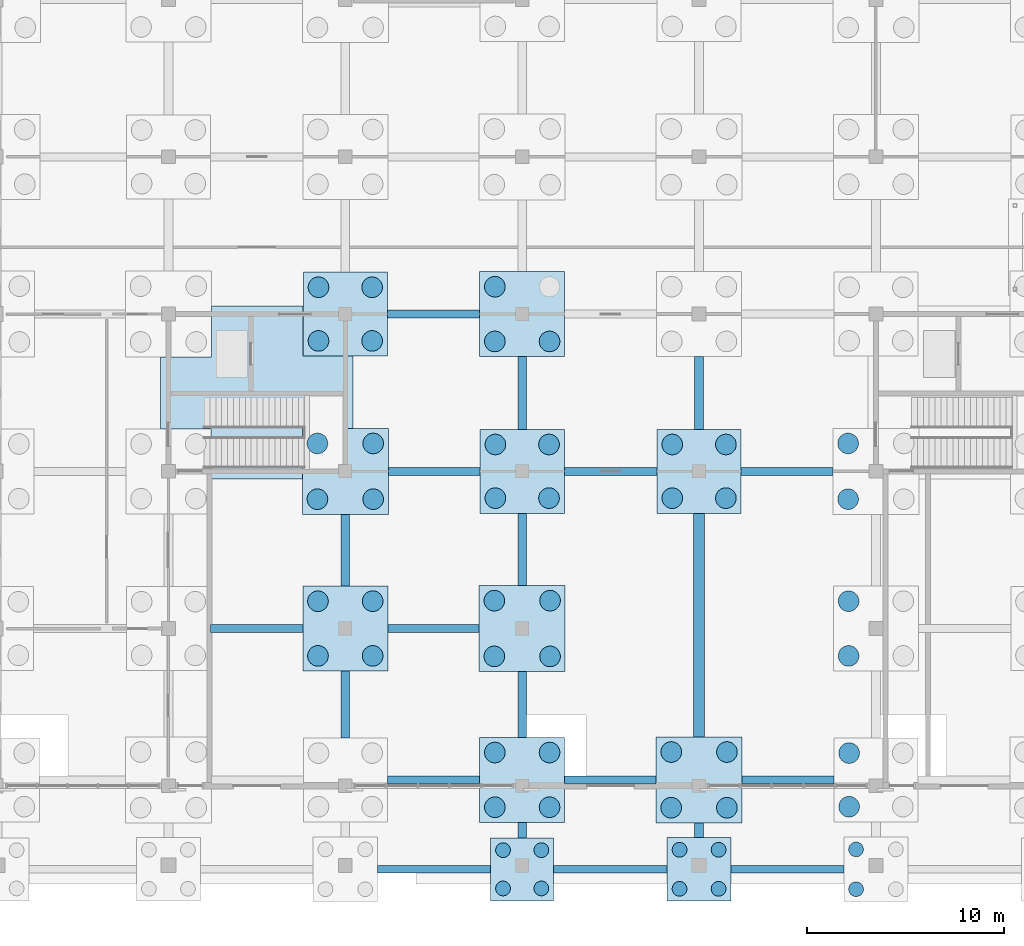
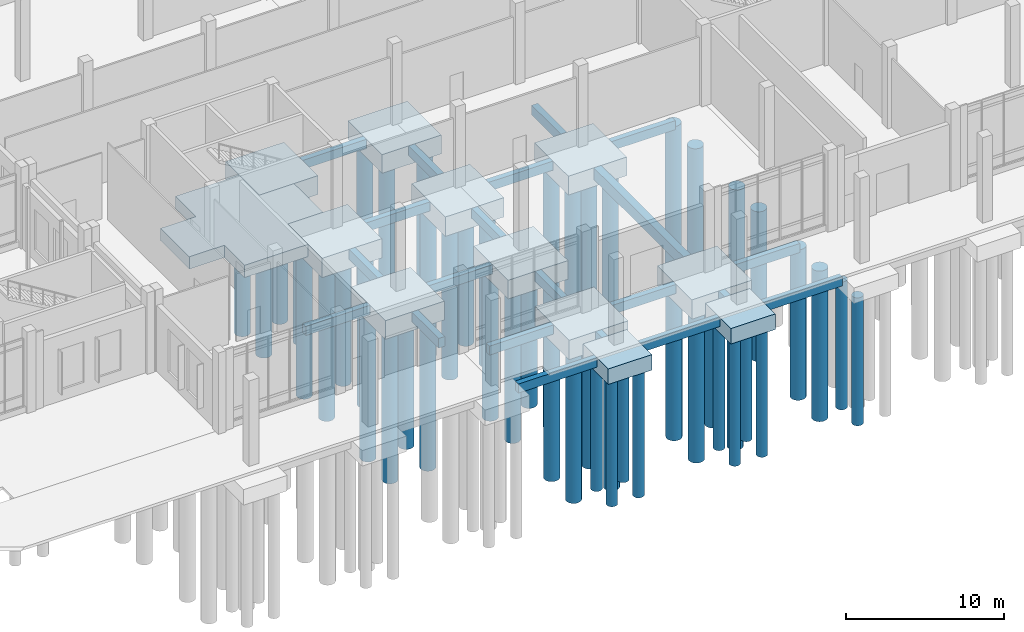
# One storey, part 13 of 99: 51 piles, 33 footings.
"""IFC4 building model written with IfcOpenShell, lengths in metres."""

import ifcopenshell
import ifcopenshell.guid

model = None  # the IFC model being written
_history = None  # IfcOwnerHistory: only IFC2X3 demands one
_inside = {}  # id of a spatial element -> (the spatial element, [elements in it])
_under = {}  # id of a project, library or spatial element -> (it, [spatial elements below it])
_declared = {}  # id of a project -> (the project, [libraries it declares])
_typed = {}  # id of a type object -> (the type object, [elements of that type])
_made_of = {}  # id of a material, layer set ... -> (it, [elements and type objects made of it])


def new_model(schema):
    """Start an empty IFC model of exactly this schema.

    Asked for "IFC4X3", IfcOpenShell would pick the latest addendum, in which some entities
    have other attributes; the version numbers below select the first issue.
    IFC2X3 requires an IfcOwnerHistory on every rooted entity: one is made here for all.
    """
    global model, _history
    if schema == "IFC4X3":
        model = ifcopenshell.file(schema_version=(4, 3, 0, 0))
    else:
        model = ifcopenshell.file(schema=schema)
    _inside.clear()
    _under.clear()
    _declared.clear()
    _typed.clear()
    _made_of.clear()
    _history = None
    if model.schema == "IFC2X3":
        org = make("IfcOrganization", Name="unknown")
        user = make(
            "IfcPersonAndOrganization",
            ThePerson=make("IfcPerson", FamilyName="unknown"),
            TheOrganization=org,
        )
        app = make(
            "IfcApplication",
            ApplicationDeveloper=org,
            Version="unknown",
            ApplicationFullName="unknown",
            ApplicationIdentifier="unknown",
        )
        _history = make(
            "IfcOwnerHistory",
            OwningUser=user,
            OwningApplication=app,
            ChangeAction="ADDED",
            CreationDate=0,
        )
    return model


def make(cls, **values):
    """One entity of the class cls with the attributes given. An attribute that is None is left unset."""
    return model.create_entity(
        cls, **{name: value for name, value in values.items() if value is not None}
    )


def rooted(cls, **values):
    """An entity with a GlobalId (a new one), such as an element, a storey or a relation."""
    return make(cls, GlobalId=ifcopenshell.guid.new(), OwnerHistory=_history, **values)


def si_unit(unit_type, name, prefix=None):
    """IfcSIUnit, for example si_unit("LENGTHUNIT", "METRE", prefix="MILLI")."""
    return make("IfcSIUnit", UnitType=unit_type, Prefix=prefix, Name=name)


def assignment(units):
    """IfcUnitAssignment: the units of a project."""
    return None if units is None else make("IfcUnitAssignment", Units=units)


def point(xyz):
    """IfcCartesianPoint."""
    return None if xyz is None else make("IfcCartesianPoint", Coordinates=xyz)


def direction(xyz):
    """IfcDirection."""
    return None if xyz is None else make("IfcDirection", DirectionRatios=xyz)


def frame(location, z_axis=None, x_axis=None):
    """IfcAxis2Placement3D, a coordinate frame: its origin and axes. An axis left out is left unset."""
    return make(
        "IfcAxis2Placement3D",
        Location=point(location),
        Axis=direction(z_axis),
        RefDirection=direction(x_axis),
    )


def frame_2d(location, x_axis=None):
    """IfcAxis2Placement2D, a coordinate frame in the plane: its origin and x axis."""
    return make(
        "IfcAxis2Placement2D", Location=point(location), RefDirection=direction(x_axis)
    )


def origin():
    """The frame at (0, 0, 0) with its axes left unset."""
    return frame((0.0, 0.0, 0.0))


def origin_2d():
    """The frame at (0, 0) in the plane with its x axis left unset."""
    return frame_2d((0.0, 0.0))


def place(relative_to, where):
    """IfcLocalPlacement: puts the frame where relative to a parent placement (None: the world)."""
    return make(
        "IfcLocalPlacement", PlacementRelTo=relative_to, RelativePlacement=where
    )


def context(
    kind, dimensions, precision=None, world=None, true_north=None, identifier=None
):
    """IfcGeometricRepresentationContext, for example the 3D "Model" context."""
    return make(
        "IfcGeometricRepresentationContext",
        ContextIdentifier=identifier,
        ContextType=kind,
        CoordinateSpaceDimension=dimensions,
        Precision=precision,
        WorldCoordinateSystem=world,
        TrueNorth=true_north,
    )


def subcontext(parent, identifier, kind, view, scale=None):
    """IfcGeometricRepresentationSubContext, for example "Body" below "Model"."""
    return make(
        "IfcGeometricRepresentationSubContext",
        ContextIdentifier=identifier,
        ContextType=kind,
        ParentContext=parent,
        TargetScale=scale,
        TargetView=view,
    )


def project(units=None, contexts=None):
    """IfcProject with its units and contexts."""
    return rooted(
        "IfcProject",
        Name="project",
        RepresentationContexts=contexts,
        UnitsInContext=assignment(units),
    )


def spatial(cls, under=None, at=None, **own):
    """A site, building, storey or space (cls), placed at a placement, below another one or the project."""
    s = rooted(cls, ObjectPlacement=at, **own)
    if under is not None:
        _under.setdefault(under.id(), (under, []))[1].append(s)
    return s


def polyline(points):
    """IfcPolyline through the points."""
    return make("IfcPolyline", Points=[point(p) for p in points])


def profile(cls, at=None, kind="AREA", **sizes):
    """A parametric profile (cls). Its sizes go by their IFC names, for example OverallWidth=200.0."""
    return make(cls, ProfileType=kind, Position=at, **sizes)


def rectangle(**sizes):
    """IfcRectangleProfileDef."""
    return profile("IfcRectangleProfileDef", **sizes)


def circle(**sizes):
    """IfcCircleProfileDef."""
    return profile("IfcCircleProfileDef", **sizes)


def outline(outer, holes=None, kind="AREA"):
    """IfcArbitraryClosedProfileDef: a profile drawn as a closed curve; with holes, ...WithVoids."""
    if holes is None:
        return make("IfcArbitraryClosedProfileDef", ProfileType=kind, OuterCurve=outer)
    return make(
        "IfcArbitraryProfileDefWithVoids",
        ProfileType=kind,
        OuterCurve=outer,
        InnerCurves=holes,
    )


def extrude(swept, where, along, depth):
    """IfcExtrudedAreaSolid: the profile swept, set in the frame where, extruded along a direction by depth."""
    return make(
        "IfcExtrudedAreaSolid",
        SweptArea=swept,
        Position=where,
        ExtrudedDirection=direction(along),
        Depth=depth,
    )


def shape(context_of_items, identifier, shape_type, items):
    """IfcShapeRepresentation: the items that make up one representation, for example the "Body"."""
    return make(
        "IfcShapeRepresentation",
        ContextOfItems=context_of_items,
        RepresentationIdentifier=identifier,
        RepresentationType=shape_type,
        Items=items,
    )


def material(Name=None, Category=None):
    """IfcMaterial."""
    return make("IfcMaterial", Name=Name, Category=Category)


def layer(
    of_material, thickness, ventilated=None, Name=None, Category=None, Priority=None
):
    """IfcMaterialLayer: one layer of a wall or slab, of a material (None: an air gap)."""
    return make(
        "IfcMaterialLayer",
        Material=of_material,
        LayerThickness=thickness,
        IsVentilated=ventilated,
        Name=Name,
        Category=Category,
        Priority=Priority,
    )


def layer_set(layers, Name=None):
    """IfcMaterialLayerSet."""
    return make("IfcMaterialLayerSet", MaterialLayers=layers, LayerSetName=Name)


def material_profile(
    of_material, cross_section, Name=None, Category=None, Priority=None
):
    """IfcMaterialProfile: a cross section and its material."""
    return make(
        "IfcMaterialProfile",
        Name=Name,
        Material=of_material,
        Profile=cross_section,
        Priority=Priority,
        Category=Category,
    )


def profile_set(profiles, Name=None, composite=None):
    """IfcMaterialProfileSet."""
    return make(
        "IfcMaterialProfileSet",
        Name=Name,
        MaterialProfiles=profiles,
        CompositeProfile=composite,
    )


def made_of(thing, what):
    """Note that an element or type object is made of a material, layer set ...; save() writes the relation."""
    if what is not None:
        _made_of.setdefault(what.id(), (what, []))[1].append(thing)
    return thing


def type_object(cls, material=None, **own):
    """A type object (cls), such as IfcWallType, which elements share."""
    return made_of(rooted(cls, **own), material)


def element(
    cls,
    number,
    at=None,
    inside=None,
    cuts=None,
    type_object=None,
    material=None,
    context=None,
    identifier="Body",
    shape_type=None,
    held_by="IfcProductDefinitionShape",
    body=None,
    shapes=None,
    **own,
):
    """One element of the class cls, such as IfcWall. Its Tag is "e" and its number.

    at: its placement. inside: the storey or other place that contains it. cuts: it is an
    opening in that element (IfcRelVoidsElement). A single representation is given by context,
    identifier, shape_type and body (its items); several are given by shapes. held_by: the class
    of the entity that holds the representations. save() writes the other relations.
    """
    e = rooted(cls, Tag="e%d" % number, ObjectPlacement=at, **own)
    if body is not None:
        shapes = [shape(context, identifier, shape_type, body)]
    if shapes is not None:
        e.Representation = make(held_by, Representations=shapes)
    if inside is not None:
        _inside.setdefault(inside.id(), (inside, []))[1].append(e)
    if cuts is not None:
        rooted(
            "IfcRelVoidsElement", RelatingBuildingElement=cuts, RelatedOpeningElement=e
        )
    if type_object is not None:
        _typed.setdefault(type_object.id(), (type_object, []))[1].append(e)
    return made_of(e, material)


def aggregate(whole, parts):
    """IfcRelAggregates: a whole, such as a stair, and the parts it consists of."""
    return rooted("IfcRelAggregates", RelatingObject=whole, RelatedObjects=parts)


def save(model, path):
    """Write the relations noted so far, then the file.

    IfcRelAggregates (storeys below a building ...), IfcRelContainedInSpatialStructure (elements
    in a storey), IfcRelDefinesByType, IfcRelAssociatesMaterial and IfcRelDeclares: one each for
    every whole, place, type object, material and project.
    """
    for whole, parts in _under.values():
        aggregate(whole, parts)
    for where, things in _inside.values():
        rooted(
            "IfcRelContainedInSpatialStructure",
            RelatedElements=things,
            RelatingStructure=where,
        )
    for kind, things in _typed.values():
        rooted("IfcRelDefinesByType", RelatedObjects=things, RelatingType=kind)
    for what, things in _made_of.values():
        rooted("IfcRelAssociatesMaterial", RelatedObjects=things, RelatingMaterial=what)
    for by, libraries in _declared.values():
        rooted("IfcRelDeclares", RelatingContext=by, RelatedDefinitions=libraries)
    model.write(path)


model = new_model("IFC4")

# Units and contexts
model_context = context("Model", 3, precision=1e-05, world=origin(), true_north=direction((0.0, 1.0)))
body_context = subcontext(model_context, "Body", "Model", "MODEL_VIEW")
ifc_project = project(units=[si_unit("LENGTHUNIT", "METRE"), si_unit("AREAUNIT", "SQUARE_METRE"), si_unit("VOLUMEUNIT", "CUBIC_METRE"), si_unit("PLANEANGLEUNIT", "RADIAN"), si_unit("MASSUNIT", "GRAM", prefix="KILO")], contexts=[model_context])

# Site, building, storey
site_placement = place(None, origin())
site = spatial("IfcSite", under=ifc_project, at=site_placement, CompositionType="ELEMENT")
building_placement = place(site_placement, origin())
building = spatial("IfcBuilding", under=site, at=building_placement, Name="Zacnel Wholesale Market", CompositionType="ELEMENT")
storey_placement = place(building_placement, origin())
storey = spatial("IfcBuildingStorey", under=building, at=storey_placement, Name="L01", CompositionType="ELEMENT", Elevation=0.0)

# Footings
ifc_material_1 = material(Name="Concrete C35/45", Category="concrete")
ifc_layer_1 = layer(ifc_material_1, 0.949951171875)
ifc_layer_set_1 = layer_set([ifc_layer_1], Name="Concrete C35/45")
footing_type_1 = type_object("IfcFootingType", Name="FTG-CORE-MAT-9500X8500", PredefinedType="PAD_FOOTING", material=ifc_layer_set_1)
footing_1_placement = place(storey_placement, frame((0.0, 0.0, -1.449951171875)))
element("IfcFooting", 1, at=footing_1_placement, inside=storey, type_object=footing_type_1, Name="Core C1 mat foundation", PredefinedType="PAD_FOOTING", context=body_context, shape_type="SweptSolid", body=[
    extrude(outline(polyline([(159.81005859375, 18.19091796875), (159.809814453125, 18.19091796875), (159.809814453125, 18.19091796875), (159.809814453125, 18.19091796875), (159.8095703125, 18.19091796875), (159.8095703125, 18.19091796875), (159.809326171875, 18.19091796875), (159.809326171875, 18.19091796875), (159.809326171875, 18.190673828125), (159.80908203125, 18.190673828125), (159.80908203125, 18.190673828125), (159.80908203125, 18.1904296875), (159.80908203125, 18.1904296875), (159.80908203125, 18.190185546875), (159.80908203125, 18.190185546875), (159.80908203125, 18.190185546875), (159.80908203125, 18.18994140625), (159.80908203125, 15.60009765625), (155.166015625, 15.60009765625), (155.166015625, 18.1650390625), (155.166015625, 18.1650390625), (155.166015625, 18.165283203125), (155.166015625, 18.165283203125), (155.166015625, 18.165283203125), (155.166015625, 18.16552734375), (155.165771484375, 18.16552734375), (155.165771484375, 18.16552734375), (155.165771484375, 18.165771484375), (155.16552734375, 18.165771484375), (155.16552734375, 18.165771484375), (155.16552734375, 18.166015625), (155.165283203125, 18.166015625), (155.165283203125, 18.166015625), (155.165283203125, 18.166015625), (155.1650390625, 18.166015625), (155.1650390625, 18.166015625), (152.60009765625, 18.166015625), (152.60009765625, 21.80908203125), (155.18994140625, 21.80908203125), (155.190185546875, 21.80908203125), (155.190185546875, 21.80908203125), (155.190185546875, 21.80908203125), (155.1904296875, 21.80908203125), (155.1904296875, 21.80908203125), (155.190673828125, 21.80908203125), (155.190673828125, 21.80908203125), (155.190673828125, 21.809326171875), (155.19091796875, 21.809326171875), (155.19091796875, 21.809326171875), (155.19091796875, 21.8095703125), (155.19091796875, 21.8095703125), (155.19091796875, 21.809814453125), (155.19091796875, 21.809814453125), (155.19091796875, 21.809814453125), (155.19091796875, 21.81005859375), (155.19091796875, 24.39990234375), (159.85888671875, 24.39990234375), (159.85888671875, 21.860107421875), (159.85888671875, 21.85986328125), (159.85888671875, 21.85986328125), (159.85888671875, 21.859619140625), (159.859130859375, 21.859619140625), (159.859130859375, 21.859619140625), (159.859130859375, 21.859375), (159.859130859375, 21.859375), (159.859375, 21.859375), (159.859375, 21.859130859375), (159.859375, 21.859130859375), (159.859619140625, 21.859130859375), (159.859619140625, 21.859130859375), (159.859619140625, 21.85888671875), (159.85986328125, 21.85888671875), (159.85986328125, 21.85888671875), (159.860107421875, 21.85888671875), (162.39990234375, 21.85888671875), (162.39990234375, 18.19091796875), (159.81005859375, 18.19091796875)])), origin(), (0.0, 0.0, 1.0), 0.949951171875),
])
ifc_material_2 = material(Name="Concrete C35/45", Category="concrete")
ifc_material_profile_1 = material_profile(ifc_material_2, rectangle(XDim=0.39990234375, YDim=0.699951171875, at=origin_2d()), Name="CT 400x700")
ifc_profile_set_1 = profile_set([ifc_material_profile_1], Name="Concrete C35/45")
footing_type_2 = type_object("IfcFootingType", Name="FTG-CT400X700", PredefinedType="FOOTING_BEAM", material=ifc_profile_set_1)
footing_2_placement = place(storey_placement, frame((163.635009765625, -4.25, -0.85009765625), z_axis=(1.0, 0.0, 0.0), x_axis=(0.0, 1.0, 0.0)))
element("IfcFooting", 2, at=footing_2_placement, inside=storey, type_object=footing_type_2, Name="Ground tie beam CT-X-0240", PredefinedType="FOOTING_BEAM", context=body_context, shape_type="SweptSolid", body=[
    extrude(rectangle(XDim=0.39990234375, YDim=0.699951171875, at=origin_2d()), origin(), (0.0, 0.0, 1.0), 5.764892578125),
])
footing_3_placement = place(storey_placement, frame((172.60009765625, -4.25, -0.85009765625), z_axis=(1.0, 0.0, 0.0), x_axis=(0.0, 1.0, 0.0)))
element("IfcFooting", 3, at=footing_3_placement, inside=storey, type_object=footing_type_2, Name="Ground tie beam CT-X-0241", PredefinedType="FOOTING_BEAM", context=body_context, shape_type="SweptSolid", body=[
    extrude(rectangle(XDim=0.39990234375, YDim=0.699951171875, at=origin_2d()), origin(), (0.0, 0.0, 1.0), 5.77978515625),
])
footing_4_placement = place(storey_placement, frame((181.6201171875, -4.25, -0.85009765625), z_axis=(1.0, 0.0, 0.0), x_axis=(0.0, 1.0, 0.0)))
element("IfcFooting", 4, at=footing_4_placement, inside=storey, type_object=footing_type_2, Name="Ground tie beam CT-X-0242", PredefinedType="FOOTING_BEAM", context=body_context, shape_type="SweptSolid", body=[
    extrude(rectangle(XDim=0.39990234375, YDim=0.699951171875, at=origin_2d()), origin(), (0.0, 0.0, 1.0), 5.744873046875),
])
footing_5_placement = place(storey_placement, frame((164.139892578125, 0.300048828125, -0.85009765625), z_axis=(1.0, 0.0, 0.0), x_axis=(0.0, 1.0, 0.0)))
element("IfcFooting", 5, at=footing_5_placement, inside=storey, type_object=footing_type_2, Name="Ground tie beam CT-X-0258", PredefinedType="FOOTING_BEAM", context=body_context, shape_type="SweptSolid", body=[
    extrude(rectangle(XDim=0.39990234375, YDim=0.699951171875, at=origin_2d()), origin(), (0.0, 0.0, 1.0), 4.695068359375),
])
footing_6_placement = place(storey_placement, frame((173.1650390625, 0.300048828125, -0.85009765625), z_axis=(1.0, 0.0, 0.0), x_axis=(0.0, 1.0, 0.0)))
element("IfcFooting", 6, at=footing_6_placement, inside=storey, type_object=footing_type_2, Name="Ground tie beam CT-X-0259", PredefinedType="FOOTING_BEAM", context=body_context, shape_type="SweptSolid", body=[
    extrude(rectangle(XDim=0.39990234375, YDim=0.699951171875, at=origin_2d()), origin(), (0.0, 0.0, 1.0), 4.64501953125),
])
footing_7_placement = place(storey_placement, frame((182.18994140625, 0.300048828125, -0.85009765625), z_axis=(1.0, 0.0, 0.0), x_axis=(0.0, 1.0, 0.0)))
element("IfcFooting", 7, at=footing_7_placement, inside=storey, type_object=footing_type_2, Name="Ground tie beam CT-X-0260", PredefinedType="FOOTING_BEAM", context=body_context, shape_type="SweptSolid", body=[
    extrude(rectangle(XDim=0.39990234375, YDim=0.699951171875, at=origin_2d()), origin(), (0.0, 0.0, 1.0), 4.670166015625),
])
footing_8_placement = place(storey_placement, frame((155.139892578125, 8.0, -0.85009765625), z_axis=(1.0, 0.0, 0.0), x_axis=(0.0, 1.0, 0.0)))
element("IfcFooting", 8, at=footing_8_placement, inside=storey, type_object=footing_type_2, Name="Ground tie beam CT-X-0278", PredefinedType="FOOTING_BEAM", context=body_context, shape_type="SweptSolid", body=[
    extrude(rectangle(XDim=0.39990234375, YDim=0.699951171875, at=origin_2d()), origin(), (0.0, 0.0, 1.0), 4.695068359375),
])
footing_9_placement = place(storey_placement, frame((164.1650390625, 8.0, -0.85009765625), z_axis=(1.0, 0.0, 0.0), x_axis=(0.0, 1.0, 0.0)))
element("IfcFooting", 9, at=footing_9_placement, inside=storey, type_object=footing_type_2, Name="Ground tie beam CT-X-0279", PredefinedType="FOOTING_BEAM", context=body_context, shape_type="SweptSolid", body=[
    extrude(rectangle(XDim=0.39990234375, YDim=0.699951171875, at=origin_2d()), origin(), (0.0, 0.0, 1.0), 4.64501953125),
])
footing_10_placement = place(storey_placement, frame((164.18994140625, 16.0, -0.85009765625), z_axis=(1.0, 0.0, 0.0), x_axis=(0.0, 1.0, 0.0)))
element("IfcFooting", 10, at=footing_10_placement, inside=storey, type_object=footing_type_2, Name="Ground tie beam CT-X-0293", PredefinedType="FOOTING_BEAM", context=body_context, shape_type="SweptSolid", body=[
    extrude(rectangle(XDim=0.39990234375, YDim=0.699951171875, at=origin_2d()), origin(), (0.0, 0.0, 1.0), 4.670166015625),
])
footing_11_placement = place(storey_placement, frame((173.139892578125, 16.0, -0.85009765625), z_axis=(1.0, 0.0, 0.0), x_axis=(0.0, 1.0, 0.0)))
element("IfcFooting", 11, at=footing_11_placement, inside=storey, type_object=footing_type_2, Name="Ground tie beam CT-X-0294", PredefinedType="FOOTING_BEAM", context=body_context, shape_type="SweptSolid", body=[
    extrude(rectangle(XDim=0.39990234375, YDim=0.699951171875, at=origin_2d()), origin(), (0.0, 0.0, 1.0), 4.72021484375),
])
footing_12_placement = place(storey_placement, frame((182.139892578125, 16.0, -0.85009765625), z_axis=(1.0, 0.0, 0.0), x_axis=(0.0, 1.0, 0.0)))
element("IfcFooting", 12, at=footing_12_placement, inside=storey, type_object=footing_type_2, Name="Ground tie beam CT-X-0295", PredefinedType="FOOTING_BEAM", context=body_context, shape_type="SweptSolid", body=[
    extrude(rectangle(XDim=0.39990234375, YDim=0.699951171875, at=origin_2d()), origin(), (0.0, 0.0, 1.0), 4.670166015625),
])
footing_13_placement = place(storey_placement, frame((164.139892578125, 24.0, -0.85009765625), z_axis=(1.0, 0.0, 0.0), x_axis=(0.0, 1.0, 0.0)))
element("IfcFooting", 13, at=footing_13_placement, inside=storey, type_object=footing_type_2, Name="Ground tie beam CT-X-0313", PredefinedType="FOOTING_BEAM", context=body_context, shape_type="SweptSolid", body=[
    extrude(rectangle(XDim=0.39990234375, YDim=0.699951171875, at=origin_2d()), origin(), (0.0, 0.0, 1.0), 4.695068359375),
])
ifc_material_3 = material(Name="Concrete C35/45", Category="concrete")
ifc_material_profile_2 = material_profile(ifc_material_3, rectangle(XDim=0.449951171875, YDim=0.75, at=origin_2d()), Name="CT 450x750")
ifc_profile_set_2 = profile_set([ifc_material_profile_2], Name="Concrete C35/45")
footing_type_3 = type_object("IfcFootingType", Name="FTG-CT450X750", PredefinedType="FOOTING_BEAM", material=ifc_profile_set_2)
footing_14_placement = place(storey_placement, frame((162.0, 2.43994140625, -0.875), z_axis=(0.0, 1.0, 0.0), x_axis=(-1.0, 0.0, 0.0)))
element("IfcFooting", 14, at=footing_14_placement, inside=storey, type_object=footing_type_3, Name="Ground tie beam CT-Y-0165", PredefinedType="FOOTING_BEAM", context=body_context, shape_type="SweptSolid", body=[
    extrude(rectangle(XDim=0.449951171875, YDim=0.75, at=origin_2d()), origin(), (0.0, 0.0, 1.0), 3.39501953125),
])
footing_15_placement = place(storey_placement, frame((162.0, 10.1650390625, -0.875), z_axis=(0.0, 1.0, 0.0), x_axis=(-1.0, 0.0, 0.0)))
element("IfcFooting", 15, at=footing_15_placement, inside=storey, type_object=footing_type_3, Name="Ground tie beam CT-Y-0166", PredefinedType="FOOTING_BEAM", context=body_context, shape_type="SweptSolid", body=[
    extrude(rectangle(XDim=0.449951171875, YDim=0.75, at=origin_2d()), origin(), (0.0, 0.0, 1.0), 3.64501953125),
])
footing_16_placement = place(storey_placement, frame((171.0, -2.64990234375, -0.875), z_axis=(0.0, 1.0, 0.0), x_axis=(-1.0, 0.0, 0.0)))
element("IfcFooting", 16, at=footing_16_placement, inside=storey, type_object=footing_type_3, Name="Ground tie beam CT-Y-0170", PredefinedType="FOOTING_BEAM", context=body_context, shape_type="SweptSolid", body=[
    extrude(rectangle(XDim=0.449951171875, YDim=0.75, at=origin_2d()), origin(), (0.0, 0.0, 1.0), 0.784912109375),
])
footing_17_placement = place(storey_placement, frame((171.0, 2.465087890625, -0.875), z_axis=(0.0, 1.0, 0.0), x_axis=(-1.0, 0.0, 0.0)))
element("IfcFooting", 17, at=footing_17_placement, inside=storey, type_object=footing_type_3, Name="Ground tie beam CT-Y-0171", PredefinedType="FOOTING_BEAM", context=body_context, shape_type="SweptSolid", body=[
    extrude(rectangle(XDim=0.449951171875, YDim=0.75, at=origin_2d()), origin(), (0.0, 0.0, 1.0), 3.344970703125),
])
footing_18_placement = place(storey_placement, frame((171.0, 10.18994140625, -0.875), z_axis=(0.0, 1.0, 0.0), x_axis=(-1.0, 0.0, 0.0)))
element("IfcFooting", 18, at=footing_18_placement, inside=storey, type_object=footing_type_3, Name="Ground tie beam CT-Y-0172", PredefinedType="FOOTING_BEAM", context=body_context, shape_type="SweptSolid", body=[
    extrude(rectangle(XDim=0.449951171875, YDim=0.75, at=origin_2d()), origin(), (0.0, 0.0, 1.0), 3.670166015625),
])
footing_19_placement = place(storey_placement, frame((171.0, 18.139892578125, -0.875), z_axis=(0.0, 1.0, 0.0), x_axis=(-1.0, 0.0, 0.0)))
element("IfcFooting", 19, at=footing_19_placement, inside=storey, type_object=footing_type_3, Name="Ground tie beam CT-Y-0173", PredefinedType="FOOTING_BEAM", context=body_context, shape_type="SweptSolid", body=[
    extrude(rectangle(XDim=0.449951171875, YDim=0.75, at=origin_2d()), origin(), (0.0, 0.0, 1.0), 3.695068359375),
])
footing_20_placement = place(storey_placement, frame((180.0, -2.6298828125, -0.875), z_axis=(0.0, 1.0, 0.0), x_axis=(-1.0, 0.0, 0.0)))
element("IfcFooting", 20, at=footing_20_placement, inside=storey, type_object=footing_type_3, Name="Ground tie beam CT-Y-0180", PredefinedType="FOOTING_BEAM", context=body_context, shape_type="SweptSolid", body=[
    extrude(rectangle(XDim=0.449951171875, YDim=0.75, at=origin_2d()), origin(), (0.0, 0.0, 1.0), 0.739990234375),
])
footing_21_placement = place(storey_placement, frame((180.0, 18.139892578125, -0.875), z_axis=(0.0, 1.0, 0.0), x_axis=(-1.0, 0.0, 0.0)))
element("IfcFooting", 21, at=footing_21_placement, inside=storey, type_object=footing_type_3, Name="Ground tie beam CT-Y-0182", PredefinedType="FOOTING_BEAM", context=body_context, shape_type="SweptSolid", body=[
    extrude(rectangle(XDim=0.449951171875, YDim=0.75, at=origin_2d()), origin(), (0.0, 0.0, 1.0), 3.695068359375),
])
ifc_material_4 = material(Name="Concrete C35/45", Category="concrete")
ifc_material_profile_3 = material_profile(ifc_material_4, rectangle(XDim=0.550048828125, YDim=0.89990234375, at=origin_2d()), Name="CT 550x900")
ifc_profile_set_3 = profile_set([ifc_material_profile_3], Name="Concrete C35/45")
footing_type_4 = type_object("IfcFootingType", Name="FTG-CT550X900", PredefinedType="FOOTING_BEAM", material=ifc_profile_set_3)
footing_22_placement = place(storey_placement, frame((180.0, 2.489990234375, -0.949951171875), z_axis=(0.0, 1.0, 0.0), x_axis=(-1.0, 0.0, 0.0)))
element("IfcFooting", 22, at=footing_22_placement, inside=storey, type_object=footing_type_4, Name="Ground tie beam CT-Y-0181", PredefinedType="FOOTING_BEAM", context=body_context, shape_type="SweptSolid", body=[
    extrude(rectangle(XDim=0.550048828125, YDim=0.89990234375, at=origin_2d()), origin(), (0.0, 0.0, 1.0), 11.3701171875),
])
ifc_material_5 = material(Name="Concrete C35/45", Category="concrete")
ifc_layer_2 = layer(ifc_material_5, 1.199951171875)
ifc_layer_set_2 = layer_set([ifc_layer_2], Name="Concrete C35/45")
footing_type_5 = type_object("IfcFootingType", Name="FTG-PC-3200X3200X1200", PredefinedType="PILE_CAP", material=ifc_layer_set_2)
footing_23_placement = place(storey_placement, frame((171.0, -4.25, -1.7001953125), z_axis=(0.0, 0.0, 1.0), x_axis=(1.0, 0.0, 0.0)))
element("IfcFooting", 23, at=footing_23_placement, inside=storey, type_object=footing_type_5, Name="Pile cap PC-21 (STR-PC-R2-BV5-04)", PredefinedType="PILE_CAP", context=body_context, shape_type="SweptSolid", body=[
    extrude(rectangle(XDim=3.199951171875, YDim=3.199951171875, at=origin_2d()), origin(), (0.0, 0.0, 1.0), 1.199951171875),
])
ifc_material_6 = material(Name="Concrete C35/45", Category="concrete")
ifc_layer_3 = layer(ifc_material_6, 1.199951171875)
ifc_layer_set_3 = layer_set([ifc_layer_3], Name="Concrete C35/45")
footing_type_6 = type_object("IfcFootingType", Name="FTG-PC-3240X3240X1200", PredefinedType="PILE_CAP", material=ifc_layer_set_3)
footing_24_placement = place(storey_placement, frame((180.0, -4.25, -1.7001953125), z_axis=(0.0, 0.0, 1.0), x_axis=(1.0, 0.0, 0.0)))
element("IfcFooting", 24, at=footing_24_placement, inside=storey, type_object=footing_type_6, Name="Pile cap PC-22 (STR-PC-R2-BV5-05)", PredefinedType="PILE_CAP", context=body_context, shape_type="SweptSolid", body=[
    extrude(rectangle(XDim=3.239990234375, YDim=3.239990234375, at=origin_2d()), origin(), (0.0, 0.0, 1.0), 1.199951171875),
])
ifc_material_7 = material(Name="Concrete C35/45", Category="concrete")
ifc_layer_4 = layer(ifc_material_7, 1.449951171875)
ifc_layer_set_4 = layer_set([ifc_layer_4], Name="Concrete C35/45")
footing_type_7 = type_object("IfcFootingType", Name="FTG-PC-4280X4280X1450", PredefinedType="PILE_CAP", material=ifc_layer_set_4)
for number, where, z_axis, x_axis, name in (
    (25, (162.0, 24.0, -1.9501953125), (0.0, 0.0, 1.0), (1.0, 0.0, 0.0), "Pile cap PC-16 (STR-PC-225)"),
    (26, (180.0, 16.0, -1.9501953125), (0.0, 0.0, 1.0), (1.0, 0.0, 0.0), "Pile cap PC-16 (STR-PC-243)"),
):
    element("IfcFooting", number, at=place(storey_placement, frame(where, z_axis=z_axis, x_axis=x_axis)), inside=storey, type_object=footing_type_7, Name=name, PredefinedType="PILE_CAP", context=body_context, shape_type="SweptSolid", body=[
        extrude(rectangle(XDim=4.280029296875, YDim=4.280029296875, at=origin_2d()), origin(), (0.0, 0.0, 1.0), 1.449951171875),
    ])
ifc_material_8 = material(Name="Concrete C35/45", Category="concrete")
ifc_layer_5 = layer(ifc_material_8, 1.5)
ifc_layer_set_5 = layer_set([ifc_layer_5], Name="Concrete C35/45")
footing_type_8 = type_object("IfcFootingType", Name="FTG-PC-4280X4280X1500", PredefinedType="PILE_CAP", material=ifc_layer_set_5)
footing_25_placement = place(storey_placement, frame((171.0, 16.0, -2.0), z_axis=(0.0, 0.0, 1.0), x_axis=(1.0, 0.0, 0.0)))
element("IfcFooting", 27, at=footing_25_placement, inside=storey, type_object=footing_type_8, Name="Pile cap PC-15 (STR-PC-234)", PredefinedType="PILE_CAP", context=body_context, shape_type="SweptSolid", body=[
    extrude(rectangle(XDim=4.280029296875, YDim=4.280029296875, at=origin_2d()), origin(), (0.0, 0.0, 1.0), 1.5),
])
ifc_material_9 = material(Name="Concrete C35/45", Category="concrete")
ifc_layer_6 = layer(ifc_material_9, 1.449951171875)
ifc_layer_set_6 = layer_set([ifc_layer_6], Name="Concrete C35/45")
footing_type_9 = type_object("IfcFootingType", Name="FTG-PC-4330X4330X1450", PredefinedType="PILE_CAP", material=ifc_layer_set_6)
for number, where, z_axis, x_axis, name in (
    (28, (162.0, 8.0, -1.9501953125), (0.0, 0.0, 1.0), (1.0, 0.0, 0.0), "Pile cap PC-19 (STR-PC-223)"),
    (29, (171.0, 24.0, -1.9501953125), (0.0, 0.0, 1.0), (1.0, 0.0, 0.0), "Pile cap PC-19 (STR-PC-235)"),
):
    element("IfcFooting", number, at=place(storey_placement, frame(where, z_axis=z_axis, x_axis=x_axis)), inside=storey, type_object=footing_type_9, Name=name, PredefinedType="PILE_CAP", context=body_context, shape_type="SweptSolid", body=[
        extrude(rectangle(XDim=4.330078125, YDim=4.330078125, at=origin_2d()), origin(), (0.0, 0.0, 1.0), 1.449951171875),
    ])
ifc_material_10 = material(Name="Concrete C35/45", Category="concrete")
ifc_layer_7 = layer(ifc_material_10, 1.5)
ifc_layer_set_7 = layer_set([ifc_layer_7], Name="Concrete C35/45")
footing_type_10 = type_object("IfcFootingType", Name="FTG-PC-4330X4330X1500", PredefinedType="PILE_CAP", material=ifc_layer_set_7)
footing_26_placement = place(storey_placement, frame((171.0, 0.300048828125, -2.0), z_axis=(0.0, 0.0, 1.0), x_axis=(1.0, 0.0, 0.0)))
element("IfcFooting", 30, at=footing_26_placement, inside=storey, type_object=footing_type_10, Name="Pile cap PC-17 (STR-PC-232)", PredefinedType="PILE_CAP", context=body_context, shape_type="SweptSolid", body=[
    extrude(rectangle(XDim=4.330078125, YDim=4.330078125, at=origin_2d()), origin(), (0.0, 0.0, 1.0), 1.5),
])
ifc_material_11 = material(Name="Concrete C35/45", Category="concrete")
ifc_layer_8 = layer(ifc_material_11, 1.449951171875)
ifc_layer_set_8 = layer_set([ifc_layer_8], Name="Concrete C35/45")
footing_type_11 = type_object("IfcFootingType", Name="FTG-PC-4380X4380X1450", PredefinedType="PILE_CAP", material=ifc_layer_set_8)
footing_27_placement = place(storey_placement, frame((171.0, 8.0, -1.9501953125), z_axis=(0.0, 0.0, 1.0), x_axis=(1.0, 0.0, 0.0)))
element("IfcFooting", 31, at=footing_27_placement, inside=storey, type_object=footing_type_11, Name="Pile cap PC-14 (STR-PC-233)", PredefinedType="PILE_CAP", context=body_context, shape_type="SweptSolid", body=[
    extrude(rectangle(XDim=4.3798828125, YDim=4.3798828125, at=origin_2d()), origin(), (0.0, 0.0, 1.0), 1.449951171875),
])
ifc_material_12 = material(Name="Concrete C35/45", Category="concrete")
ifc_layer_9 = layer(ifc_material_12, 1.5)
ifc_layer_set_9 = layer_set([ifc_layer_9], Name="Concrete C35/45")
footing_type_12 = type_object("IfcFootingType", Name="FTG-PC-4380X4380X1500", PredefinedType="PILE_CAP", material=ifc_layer_set_9)
for number, where, z_axis, x_axis, name in (
    (32, (162.0, 16.0, -2.0), (0.0, 0.0, 1.0), (1.0, 0.0, 0.0), "Pile cap PC-18 (STR-PC-224)"),
    (33, (180.0, 0.300048828125, -2.0), (0.0, 0.0, 1.0), (1.0, 0.0, 0.0), "Pile cap PC-18 (STR-PC-242)"),
):
    element("IfcFooting", number, at=place(storey_placement, frame(where, z_axis=z_axis, x_axis=x_axis)), inside=storey, type_object=footing_type_12, Name=name, PredefinedType="PILE_CAP", context=body_context, shape_type="SweptSolid", body=[
        extrude(rectangle(XDim=4.3798828125, YDim=4.3798828125, at=origin_2d()), origin(), (0.0, 0.0, 1.0), 1.5),
    ])

# Piles
ifc_material_13 = material(Name="Concrete C35/45", Category="concrete")
ifc_material_profile_4 = material_profile(ifc_material_13, circle(Radius=0.52490234375, at=origin_2d()), Name="BORED PILE D1050")
ifc_profile_set_4 = profile_set([ifc_material_profile_4], Name="Concrete C35/45")
pile_type_1 = type_object("IfcPileType", Name="PILE-BORED-1050", PredefinedType="BORED", material=ifc_profile_set_4)
for number, where, z_axis, x_axis, name in (
    (34, (160.6083984375, 6.6083984375, -1.85009765625), (0.0, 0.0, -1.0), (1.0, 0.0, 0.0), "Bored pile STR-PILE-223-01"),
    (35, (160.6083984375, 9.3916015625, -1.85009765625), (0.0, 0.0, -1.0), (1.0, 0.0, 0.0), "Bored pile STR-PILE-223-02"),
    (36, (163.3916015625, 6.6083984375, -1.85009765625), (0.0, 0.0, -1.0), (1.0, 0.0, 0.0), "Bored pile STR-PILE-223-03"),
    (37, (163.3916015625, 9.3916015625, -1.85009765625), (0.0, 0.0, -1.0), (1.0, 0.0, 0.0), "Bored pile STR-PILE-223-04"),
):
    element("IfcPile", number, at=place(storey_placement, frame(where, z_axis=z_axis, x_axis=x_axis)), inside=storey, type_object=pile_type_1, Name=name, PredefinedType="BORED", context=body_context, shape_type="SweptSolid", body=[
        extrude(circle(Radius=0.52490234375, at=origin_2d()), origin(), (0.0, 0.0, 1.0), 11.64990234375),
    ])
for number, where, z_axis, x_axis, name in (
    (38, (160.58251953125, 14.58251953125, -1.89990234375), (0.0, 0.0, -1.0), (1.0, 0.0, 0.0), "Bored pile STR-PILE-224-01"),
    (39, (160.58251953125, 17.41748046875, -1.89990234375), (0.0, 0.0, -1.0), (1.0, 0.0, 0.0), "Bored pile STR-PILE-224-02"),
    (40, (163.41748046875, 14.58251953125, -1.89990234375), (0.0, 0.0, -1.0), (1.0, 0.0, 0.0), "Bored pile STR-PILE-224-03"),
    (41, (163.41748046875, 17.41748046875, -1.89990234375), (0.0, 0.0, -1.0), (1.0, 0.0, 0.0), "Bored pile STR-PILE-224-04"),
):
    element("IfcPile", number, at=place(storey_placement, frame(where, z_axis=z_axis, x_axis=x_axis)), inside=storey, type_object=pile_type_1, Name=name, PredefinedType="BORED", context=body_context, shape_type="SweptSolid", body=[
        extrude(circle(Radius=0.52490234375, at=origin_2d()), origin(), (0.0, 0.0, 1.0), 11.60009765625),
    ])
for number, where, z_axis, x_axis, name in (
    (42, (160.635009765625, 22.635009765625, -1.85009765625), (0.0, 0.0, -1.0), (1.0, 0.0, 0.0), "Bored pile STR-PILE-225-01"),
    (43, (160.635009765625, 25.364990234375, -1.85009765625), (0.0, 0.0, -1.0), (1.0, 0.0, 0.0), "Bored pile STR-PILE-225-02"),
    (44, (163.364990234375, 22.635009765625, -1.85009765625), (0.0, 0.0, -1.0), (1.0, 0.0, 0.0), "Bored pile STR-PILE-225-03"),
    (45, (163.364990234375, 25.364990234375, -1.85009765625), (0.0, 0.0, -1.0), (1.0, 0.0, 0.0), "Bored pile STR-PILE-225-04"),
):
    element("IfcPile", number, at=place(storey_placement, frame(where, z_axis=z_axis, x_axis=x_axis)), inside=storey, type_object=pile_type_1, Name=name, PredefinedType="BORED", context=body_context, shape_type="SweptSolid", body=[
        extrude(circle(Radius=0.52490234375, at=origin_2d()), origin(), (0.0, 0.0, 1.0), 11.64990234375),
    ])
for number, where, z_axis, x_axis, name in (
    (46, (169.6083984375, -1.091552734375, -1.89990234375), (0.0, 0.0, -1.0), (1.0, 0.0, 0.0), "Bored pile STR-PILE-232-01"),
    (47, (169.6083984375, 1.69140625, -1.89990234375), (0.0, 0.0, -1.0), (1.0, 0.0, 0.0), "Bored pile STR-PILE-232-02"),
    (48, (172.3916015625, -1.091552734375, -1.89990234375), (0.0, 0.0, -1.0), (1.0, 0.0, 0.0), "Bored pile STR-PILE-232-03"),
    (49, (172.3916015625, 1.69140625, -1.89990234375), (0.0, 0.0, -1.0), (1.0, 0.0, 0.0), "Bored pile STR-PILE-232-04"),
):
    element("IfcPile", number, at=place(storey_placement, frame(where, z_axis=z_axis, x_axis=x_axis)), inside=storey, type_object=pile_type_1, Name=name, PredefinedType="BORED", context=body_context, shape_type="SweptSolid", body=[
        extrude(circle(Radius=0.52490234375, at=origin_2d()), origin(), (0.0, 0.0, 1.0), 11.60009765625),
    ])
for number, where, z_axis, x_axis, name in (
    (50, (169.58251953125, 6.58251953125, -1.85009765625), (0.0, 0.0, -1.0), (1.0, 0.0, 0.0), "Bored pile STR-PILE-233-01"),
    (51, (169.58251953125, 9.41748046875, -1.85009765625), (0.0, 0.0, -1.0), (1.0, 0.0, 0.0), "Bored pile STR-PILE-233-02"),
    (52, (172.41748046875, 6.58251953125, -1.85009765625), (0.0, 0.0, -1.0), (1.0, 0.0, 0.0), "Bored pile STR-PILE-233-03"),
    (53, (172.41748046875, 9.41748046875, -1.85009765625), (0.0, 0.0, -1.0), (1.0, 0.0, 0.0), "Bored pile STR-PILE-233-04"),
):
    element("IfcPile", number, at=place(storey_placement, frame(where, z_axis=z_axis, x_axis=x_axis)), inside=storey, type_object=pile_type_1, Name=name, PredefinedType="BORED", context=body_context, shape_type="SweptSolid", body=[
        extrude(circle(Radius=0.52490234375, at=origin_2d()), origin(), (0.0, 0.0, 1.0), 11.64990234375),
    ])
for number, where, z_axis, x_axis, name in (
    (54, (169.635009765625, 14.635009765625, -1.89990234375), (0.0, 0.0, -1.0), (1.0, 0.0, 0.0), "Bored pile STR-PILE-234-01"),
    (55, (169.635009765625, 17.364990234375, -1.89990234375), (0.0, 0.0, -1.0), (1.0, 0.0, 0.0), "Bored pile STR-PILE-234-02"),
    (56, (172.364990234375, 14.635009765625, -1.89990234375), (0.0, 0.0, -1.0), (1.0, 0.0, 0.0), "Bored pile STR-PILE-234-03"),
    (57, (172.364990234375, 17.364990234375, -1.89990234375), (0.0, 0.0, -1.0), (1.0, 0.0, 0.0), "Bored pile STR-PILE-234-04"),
):
    element("IfcPile", number, at=place(storey_placement, frame(where, z_axis=z_axis, x_axis=x_axis)), inside=storey, type_object=pile_type_1, Name=name, PredefinedType="BORED", context=body_context, shape_type="SweptSolid", body=[
        extrude(circle(Radius=0.52490234375, at=origin_2d()), origin(), (0.0, 0.0, 1.0), 11.60009765625),
    ])
for number, where, z_axis, x_axis, name in (
    (58, (169.6083984375, 22.6083984375, -1.85009765625), (0.0, 0.0, -1.0), (1.0, 0.0, 0.0), "Bored pile STR-PILE-235-01"),
    (59, (169.6083984375, 25.3916015625, -1.85009765625), (0.0, 0.0, -1.0), (1.0, 0.0, 0.0), "Bored pile STR-PILE-235-02"),
    (60, (172.3916015625, 22.6083984375, -1.85009765625), (0.0, 0.0, -1.0), (1.0, 0.0, 0.0), "Bored pile STR-PILE-235-03"),
):
    element("IfcPile", number, at=place(storey_placement, frame(where, z_axis=z_axis, x_axis=x_axis)), inside=storey, type_object=pile_type_1, Name=name, PredefinedType="BORED", context=body_context, shape_type="SweptSolid", body=[
        extrude(circle(Radius=0.52490234375, at=origin_2d()), origin(), (0.0, 0.0, 1.0), 11.64990234375),
    ])
for number, where, z_axis, x_axis, name in (
    (61, (178.58251953125, -1.117431640625, -1.89990234375), (0.0, 0.0, -1.0), (1.0, 0.0, 0.0), "Bored pile STR-PILE-242-01"),
    (62, (178.58251953125, 1.717529296875, -1.89990234375), (0.0, 0.0, -1.0), (1.0, 0.0, 0.0), "Bored pile STR-PILE-242-02"),
    (63, (181.41748046875, -1.117431640625, -1.89990234375), (0.0, 0.0, -1.0), (1.0, 0.0, 0.0), "Bored pile STR-PILE-242-03"),
    (64, (181.41748046875, 1.717529296875, -1.89990234375), (0.0, 0.0, -1.0), (1.0, 0.0, 0.0), "Bored pile STR-PILE-242-04"),
):
    element("IfcPile", number, at=place(storey_placement, frame(where, z_axis=z_axis, x_axis=x_axis)), inside=storey, type_object=pile_type_1, Name=name, PredefinedType="BORED", context=body_context, shape_type="SweptSolid", body=[
        extrude(circle(Radius=0.52490234375, at=origin_2d()), origin(), (0.0, 0.0, 1.0), 11.60009765625),
    ])
for number, where, z_axis, x_axis, name in (
    (65, (178.635009765625, 14.635009765625, -1.85009765625), (0.0, 0.0, -1.0), (1.0, 0.0, 0.0), "Bored pile STR-PILE-243-01"),
    (66, (178.635009765625, 17.364990234375, -1.85009765625), (0.0, 0.0, -1.0), (1.0, 0.0, 0.0), "Bored pile STR-PILE-243-02"),
    (67, (181.364990234375, 14.635009765625, -1.85009765625), (0.0, 0.0, -1.0), (1.0, 0.0, 0.0), "Bored pile STR-PILE-243-03"),
    (68, (181.364990234375, 17.364990234375, -1.85009765625), (0.0, 0.0, -1.0), (1.0, 0.0, 0.0), "Bored pile STR-PILE-243-04"),
    (69, (187.635009765625, -1.06494140625, -1.85009765625), (0.0, 0.0, -1.0), (1.0, 0.0, 0.0), "Bored pile STR-PILE-255-01"),
    (70, (187.635009765625, 1.6650390625, -1.85009765625), (0.0, 0.0, -1.0), (1.0, 0.0, 0.0), "Bored pile STR-PILE-255-02"),
):
    element("IfcPile", number, at=place(storey_placement, frame(where, z_axis=z_axis, x_axis=x_axis)), inside=storey, type_object=pile_type_1, Name=name, PredefinedType="BORED", context=body_context, shape_type="SweptSolid", body=[
        extrude(circle(Radius=0.52490234375, at=origin_2d()), origin(), (0.0, 0.0, 1.0), 11.64990234375),
    ])
for number, where, z_axis, x_axis, name in (
    (71, (187.6083984375, 6.6083984375, -1.89990234375), (0.0, 0.0, -1.0), (1.0, 0.0, 0.0), "Bored pile STR-PILE-256-01"),
    (72, (187.6083984375, 9.3916015625, -1.89990234375), (0.0, 0.0, -1.0), (1.0, 0.0, 0.0), "Bored pile STR-PILE-256-02"),
):
    element("IfcPile", number, at=place(storey_placement, frame(where, z_axis=z_axis, x_axis=x_axis)), inside=storey, type_object=pile_type_1, Name=name, PredefinedType="BORED", context=body_context, shape_type="SweptSolid", body=[
        extrude(circle(Radius=0.52490234375, at=origin_2d()), origin(), (0.0, 0.0, 1.0), 11.60009765625),
    ])
for number, where, z_axis, x_axis, name in (
    (73, (187.58251953125, 14.58251953125, -1.85009765625), (0.0, 0.0, -1.0), (1.0, 0.0, 0.0), "Bored pile STR-PILE-257-01"),
    (74, (187.58251953125, 17.41748046875, -1.85009765625), (0.0, 0.0, -1.0), (1.0, 0.0, 0.0), "Bored pile STR-PILE-257-02"),
):
    element("IfcPile", number, at=place(storey_placement, frame(where, z_axis=z_axis, x_axis=x_axis)), inside=storey, type_object=pile_type_1, Name=name, PredefinedType="BORED", context=body_context, shape_type="SweptSolid", body=[
        extrude(circle(Radius=0.52490234375, at=origin_2d()), origin(), (0.0, 0.0, 1.0), 11.64990234375),
    ])
ifc_material_14 = material(Name="Concrete C35/45", Category="concrete")
ifc_material_profile_5 = material_profile(ifc_material_14, circle(Radius=0.375, at=origin_2d()), Name="BORED PILE D750")
ifc_profile_set_5 = profile_set([ifc_material_profile_5], Name="Concrete C35/45")
pile_type_2 = type_object("IfcPileType", Name="PILE-BORED-750", PredefinedType="BORED", material=ifc_profile_set_5)
for number, where, z_axis, x_axis, name in (
    (75, (170.02490234375, -5.22509765625, -1.60009765625), (0.0, 0.0, -1.0), (1.0, 0.0, 0.0), "Bored pile STR-PILE-R2-BV5-04-01"),
    (76, (170.02490234375, -3.27490234375, -1.60009765625), (0.0, 0.0, -1.0), (1.0, 0.0, 0.0), "Bored pile STR-PILE-R2-BV5-04-02"),
    (77, (171.97509765625, -5.22509765625, -1.60009765625), (0.0, 0.0, -1.0), (1.0, 0.0, 0.0), "Bored pile STR-PILE-R2-BV5-04-03"),
    (78, (171.97509765625, -3.27490234375, -1.60009765625), (0.0, 0.0, -1.0), (1.0, 0.0, 0.0), "Bored pile STR-PILE-R2-BV5-04-04"),
    (79, (179.006591796875, -5.243408203125, -1.60009765625), (0.0, 0.0, -1.0), (1.0, 0.0, 0.0), "Bored pile STR-PILE-R2-BV5-05-01"),
    (80, (179.006591796875, -3.256591796875, -1.60009765625), (0.0, 0.0, -1.0), (1.0, 0.0, 0.0), "Bored pile STR-PILE-R2-BV5-05-02"),
    (81, (180.993408203125, -5.243408203125, -1.60009765625), (0.0, 0.0, -1.0), (1.0, 0.0, 0.0), "Bored pile STR-PILE-R2-BV5-05-03"),
    (82, (180.993408203125, -3.256591796875, -1.60009765625), (0.0, 0.0, -1.0), (1.0, 0.0, 0.0), "Bored pile STR-PILE-R2-BV5-05-04"),
    (83, (187.987548828125, -5.262451171875, -1.60009765625), (0.0, 0.0, -1.0), (1.0, 0.0, 0.0), "Bored pile STR-PILE-R2-BV5-06-01"),
    (84, (187.987548828125, -3.237548828125, -1.60009765625), (0.0, 0.0, -1.0), (1.0, 0.0, 0.0), "Bored pile STR-PILE-R2-BV5-06-02"),
):
    element("IfcPile", number, at=place(storey_placement, frame(where, z_axis=z_axis, x_axis=x_axis)), inside=storey, type_object=pile_type_2, Name=name, PredefinedType="BORED", context=body_context, shape_type="SweptSolid", body=[
        extrude(circle(Radius=0.375, at=origin_2d()), origin(), (0.0, 0.0, 1.0), 9.89990234375),
    ])

save(model, "model.ifc")
